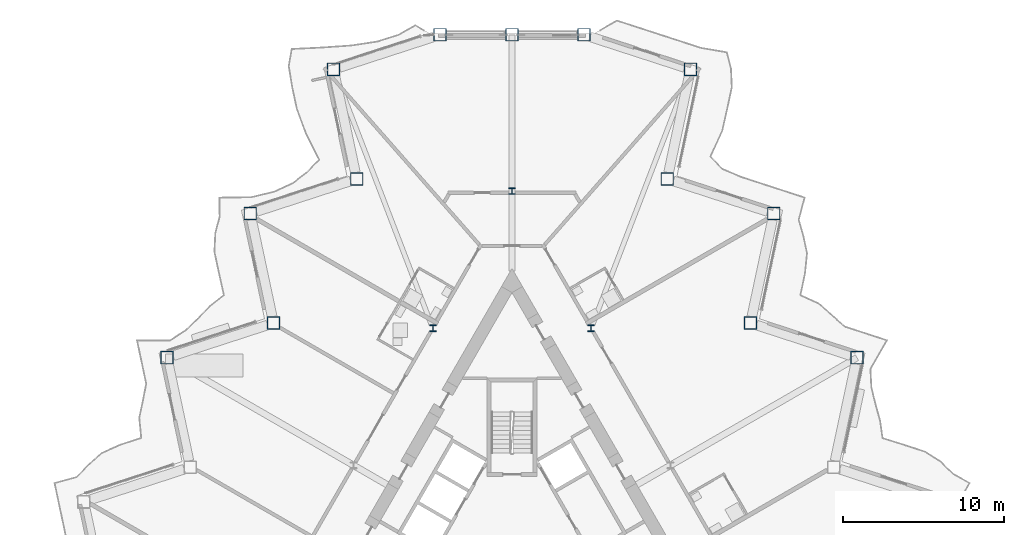
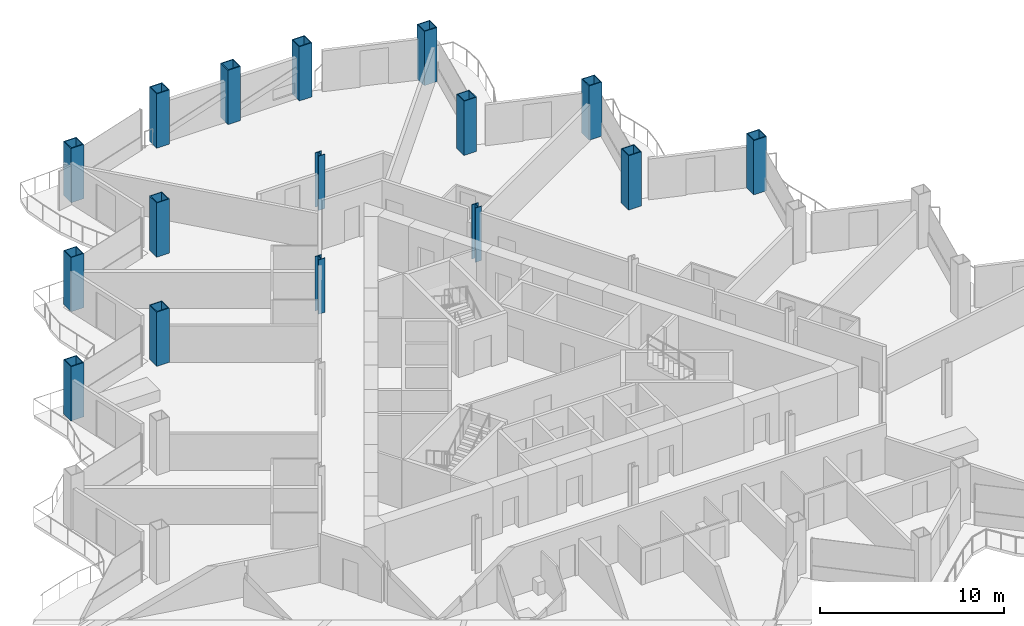
# One storey, part 2 of 23: 16 columns.
"""IFC4 building model written with IfcOpenShell, lengths in metres."""

import ifcopenshell
import ifcopenshell.guid

model = None  # the IFC model being written
_history = None  # IfcOwnerHistory: only IFC2X3 demands one
_inside = {}  # id of a spatial element -> (the spatial element, [elements in it])
_under = {}  # id of a project, library or spatial element -> (it, [spatial elements below it])
_declared = {}  # id of a project -> (the project, [libraries it declares])
_typed = {}  # id of a type object -> (the type object, [elements of that type])
_made_of = {}  # id of a material, layer set ... -> (it, [elements and type objects made of it])


def new_model(schema):
    """Start an empty IFC model of exactly this schema.

    Asked for "IFC4X3", IfcOpenShell would pick the latest addendum, in which some entities
    have other attributes; the version numbers below select the first issue.
    IFC2X3 requires an IfcOwnerHistory on every rooted entity: one is made here for all.
    """
    global model, _history
    if schema == "IFC4X3":
        model = ifcopenshell.file(schema_version=(4, 3, 0, 0))
    else:
        model = ifcopenshell.file(schema=schema)
    _inside.clear()
    _under.clear()
    _declared.clear()
    _typed.clear()
    _made_of.clear()
    _history = None
    if model.schema == "IFC2X3":
        org = make("IfcOrganization", Name="unknown")
        user = make(
            "IfcPersonAndOrganization",
            ThePerson=make("IfcPerson", FamilyName="unknown"),
            TheOrganization=org,
        )
        app = make(
            "IfcApplication",
            ApplicationDeveloper=org,
            Version="unknown",
            ApplicationFullName="unknown",
            ApplicationIdentifier="unknown",
        )
        _history = make(
            "IfcOwnerHistory",
            OwningUser=user,
            OwningApplication=app,
            ChangeAction="ADDED",
            CreationDate=0,
        )
    return model


def make(cls, **values):
    """One entity of the class cls with the attributes given. An attribute that is None is left unset."""
    return model.create_entity(
        cls, **{name: value for name, value in values.items() if value is not None}
    )


def rooted(cls, **values):
    """An entity with a GlobalId (a new one), such as an element, a storey or a relation."""
    return make(cls, GlobalId=ifcopenshell.guid.new(), OwnerHistory=_history, **values)


def si_unit(unit_type, name, prefix=None):
    """IfcSIUnit, for example si_unit("LENGTHUNIT", "METRE", prefix="MILLI")."""
    return make("IfcSIUnit", UnitType=unit_type, Prefix=prefix, Name=name)


def assignment(units):
    """IfcUnitAssignment: the units of a project."""
    return None if units is None else make("IfcUnitAssignment", Units=units)


def point(xyz):
    """IfcCartesianPoint."""
    return None if xyz is None else make("IfcCartesianPoint", Coordinates=xyz)


def direction(xyz):
    """IfcDirection."""
    return None if xyz is None else make("IfcDirection", DirectionRatios=xyz)


def frame(location, z_axis=None, x_axis=None):
    """IfcAxis2Placement3D, a coordinate frame: its origin and axes. An axis left out is left unset."""
    return make(
        "IfcAxis2Placement3D",
        Location=point(location),
        Axis=direction(z_axis),
        RefDirection=direction(x_axis),
    )


def frame_2d(location, x_axis=None):
    """IfcAxis2Placement2D, a coordinate frame in the plane: its origin and x axis."""
    return make(
        "IfcAxis2Placement2D", Location=point(location), RefDirection=direction(x_axis)
    )


def origin():
    """The frame at (0, 0, 0) with its axes left unset."""
    return frame((0.0, 0.0, 0.0))


def origin_2d():
    """The frame at (0, 0) in the plane with its x axis left unset."""
    return frame_2d((0.0, 0.0))


def place(relative_to, where):
    """IfcLocalPlacement: puts the frame where relative to a parent placement (None: the world)."""
    return make(
        "IfcLocalPlacement", PlacementRelTo=relative_to, RelativePlacement=where
    )


def context(
    kind, dimensions, precision=None, world=None, true_north=None, identifier=None
):
    """IfcGeometricRepresentationContext, for example the 3D "Model" context."""
    return make(
        "IfcGeometricRepresentationContext",
        ContextIdentifier=identifier,
        ContextType=kind,
        CoordinateSpaceDimension=dimensions,
        Precision=precision,
        WorldCoordinateSystem=world,
        TrueNorth=true_north,
    )


def subcontext(parent, identifier, kind, view, scale=None):
    """IfcGeometricRepresentationSubContext, for example "Body" below "Model"."""
    return make(
        "IfcGeometricRepresentationSubContext",
        ContextIdentifier=identifier,
        ContextType=kind,
        ParentContext=parent,
        TargetScale=scale,
        TargetView=view,
    )


def project(units=None, contexts=None):
    """IfcProject with its units and contexts."""
    return rooted(
        "IfcProject",
        Name="project",
        RepresentationContexts=contexts,
        UnitsInContext=assignment(units),
    )


def spatial(cls, under=None, at=None, **own):
    """A site, building, storey or space (cls), placed at a placement, below another one or the project."""
    s = rooted(cls, ObjectPlacement=at, **own)
    if under is not None:
        _under.setdefault(under.id(), (under, []))[1].append(s)
    return s


def profile(cls, at=None, kind="AREA", **sizes):
    """A parametric profile (cls). Its sizes go by their IFC names, for example OverallWidth=200.0."""
    return make(cls, ProfileType=kind, Position=at, **sizes)


def hollow_rectangle(**sizes):
    """IfcRectangleHollowProfileDef."""
    return profile("IfcRectangleHollowProfileDef", **sizes)


def i_section(**sizes):
    """IfcIShapeProfileDef."""
    return profile("IfcIShapeProfileDef", **sizes)


def extrude(swept, where, along, depth):
    """IfcExtrudedAreaSolid: the profile swept, set in the frame where, extruded along a direction by depth."""
    return make(
        "IfcExtrudedAreaSolid",
        SweptArea=swept,
        Position=where,
        ExtrudedDirection=direction(along),
        Depth=depth,
    )


def shape(context_of_items, identifier, shape_type, items):
    """IfcShapeRepresentation: the items that make up one representation, for example the "Body"."""
    return make(
        "IfcShapeRepresentation",
        ContextOfItems=context_of_items,
        RepresentationIdentifier=identifier,
        RepresentationType=shape_type,
        Items=items,
    )


def material(Name=None, Category=None):
    """IfcMaterial."""
    return make("IfcMaterial", Name=Name, Category=Category)


def material_profile(
    of_material, cross_section, Name=None, Category=None, Priority=None
):
    """IfcMaterialProfile: a cross section and its material."""
    return make(
        "IfcMaterialProfile",
        Name=Name,
        Material=of_material,
        Profile=cross_section,
        Priority=Priority,
        Category=Category,
    )


def profile_set(profiles, Name=None, composite=None):
    """IfcMaterialProfileSet."""
    return make(
        "IfcMaterialProfileSet",
        Name=Name,
        MaterialProfiles=profiles,
        CompositeProfile=composite,
    )


def made_of(thing, what):
    """Note that an element or type object is made of a material, layer set ...; save() writes the relation."""
    if what is not None:
        _made_of.setdefault(what.id(), (what, []))[1].append(thing)
    return thing


def type_object(cls, material=None, **own):
    """A type object (cls), such as IfcWallType, which elements share."""
    return made_of(rooted(cls, **own), material)


def element(
    cls,
    number,
    at=None,
    inside=None,
    cuts=None,
    type_object=None,
    material=None,
    context=None,
    identifier="Body",
    shape_type=None,
    held_by="IfcProductDefinitionShape",
    body=None,
    shapes=None,
    **own,
):
    """One element of the class cls, such as IfcWall. Its Tag is "e" and its number.

    at: its placement. inside: the storey or other place that contains it. cuts: it is an
    opening in that element (IfcRelVoidsElement). A single representation is given by context,
    identifier, shape_type and body (its items); several are given by shapes. held_by: the class
    of the entity that holds the representations. save() writes the other relations.
    """
    e = rooted(cls, Tag="e%d" % number, ObjectPlacement=at, **own)
    if body is not None:
        shapes = [shape(context, identifier, shape_type, body)]
    if shapes is not None:
        e.Representation = make(held_by, Representations=shapes)
    if inside is not None:
        _inside.setdefault(inside.id(), (inside, []))[1].append(e)
    if cuts is not None:
        rooted(
            "IfcRelVoidsElement", RelatingBuildingElement=cuts, RelatedOpeningElement=e
        )
    if type_object is not None:
        _typed.setdefault(type_object.id(), (type_object, []))[1].append(e)
    return made_of(e, material)


def aggregate(whole, parts):
    """IfcRelAggregates: a whole, such as a stair, and the parts it consists of."""
    return rooted("IfcRelAggregates", RelatingObject=whole, RelatedObjects=parts)


def save(model, path):
    """Write the relations noted so far, then the file.

    IfcRelAggregates (storeys below a building ...), IfcRelContainedInSpatialStructure (elements
    in a storey), IfcRelDefinesByType, IfcRelAssociatesMaterial and IfcRelDeclares: one each for
    every whole, place, type object, material and project.
    """
    for whole, parts in _under.values():
        aggregate(whole, parts)
    for where, things in _inside.values():
        rooted(
            "IfcRelContainedInSpatialStructure",
            RelatedElements=things,
            RelatingStructure=where,
        )
    for kind, things in _typed.values():
        rooted("IfcRelDefinesByType", RelatedObjects=things, RelatingType=kind)
    for what, things in _made_of.values():
        rooted("IfcRelAssociatesMaterial", RelatedObjects=things, RelatingMaterial=what)
    for by, libraries in _declared.values():
        rooted("IfcRelDeclares", RelatingContext=by, RelatedDefinitions=libraries)
    model.write(path)


model = new_model("IFC4")

# Units and contexts
model_context = context("Model", 3, precision=1e-05, world=origin(), true_north=direction((0.0, 1.0)))
body_context = subcontext(model_context, "Body", "Model", "MODEL_VIEW")
ifc_project = project(units=[si_unit("LENGTHUNIT", "METRE"), si_unit("AREAUNIT", "SQUARE_METRE"), si_unit("VOLUMEUNIT", "CUBIC_METRE"), si_unit("PLANEANGLEUNIT", "RADIAN"), si_unit("MASSUNIT", "GRAM", prefix="KILO")], contexts=[model_context])

# Site, building, storey
site_placement = place(None, origin())
site = spatial("IfcSite", under=ifc_project, at=site_placement, CompositionType="ELEMENT")
building_placement = place(site_placement, origin())
building = spatial("IfcBuilding", under=site, at=building_placement, Name="Cormorant Prow Tower", CompositionType="ELEMENT")
storey_placement = place(building_placement, frame((0.0, 0.0, 169.199951171875)))
storey = spatial("IfcBuildingStorey", under=building, at=storey_placement, Name="L35", CompositionType="ELEMENT", Elevation=169.199951171875)

# Columns
ifc_material_1 = material(Name="Structural steel ASTM A572 Gr 50", Category="steel")
ifc_material_profile_1 = material_profile(ifc_material_1, hollow_rectangle(XDim=0.800048828125, YDim=0.800048828125, WallThickness=0.050048828125, at=origin_2d()), Name="Box 800x800x50")
ifc_profile_set_1 = profile_set([ifc_material_profile_1], Name="Structural steel ASTM A572 Gr 50")
column_type_1 = type_object("IfcColumnType", Name="Perimeter box column 800x800x50", PredefinedType="COLUMN", material=ifc_profile_set_1)
for number, where, z_axis, x_axis, name in (
    (1, (21.409423828125, 12.36083984375, 0.0), (0.0, 0.0, 1.0), (1.0, 0.0, 0.0), "Perimeter column C4 at ENE05 L35"),
    (2, (14.7998046875, 14.50830078125, 0.0), (0.0, 0.0, 1.0), (1.0, 0.0, 0.0), "Perimeter column C4 at ENE06 L35"),
    (3, (16.244873046875, 21.306396484375, 0.0), (0.0, 0.0, 1.0), (1.0, 0.0, 0.0), "Perimeter column C4 at ENE07 L35"),
    (4, (9.63525390625, 23.453857421875, 0.0), (0.0, 0.0, 1.0), (1.0, 0.0, 0.0), "Perimeter column C4 at ENE08 L35"),
    (5, (11.080078125, 30.251953125, 0.0), (0.0, 0.0, 1.0), (1.0, 0.0, 0.0), "Perimeter column C4 at ENE09 L35"),
    (6, (4.470458984375, 32.3994140625, 0.0), (0.0, 0.0, 1.0), (1.0, 0.0, 0.0), "Perimeter column C4 at N00 L35"),
    (7, (0.0, 32.3994140625, 0.0), (0.0, 0.0, 1.0), (1.0, 0.0, 0.0), "Perimeter column C4 at N01 L35"),
    (8, (-4.470458984375, 32.3994140625, 0.0), (0.0, 0.0, 1.0), (1.0, 0.0, 0.0), "Perimeter column C4 at WNW00 L35"),
    (9, (-11.080078125, 30.251953125, 0.0), (0.0, 0.0, 1.0), (1.0, 0.0, 0.0), "Perimeter column C4 at WNW01 L35"),
    (10, (-9.63525390625, 23.453857421875, 0.0), (0.0, 0.0, 1.0), (1.0, 0.0, 0.0), "Perimeter column C4 at WNW02 L35"),
    (11, (-16.244873046875, 21.306396484375, 0.0), (0.0, 0.0, 1.0), (1.0, 0.0, 0.0), "Perimeter column C4 at WNW03 L35"),
    (12, (-14.7998046875, 14.50830078125, 0.0), (0.0, 0.0, 1.0), (1.0, 0.0, 0.0), "Perimeter column C4 at WNW04 L35"),
    (13, (-21.409423828125, 12.36083984375, 0.0), (0.0, 0.0, 1.0), (1.0, 0.0, 0.0), "Perimeter column C4 at WNW05 L35"),
):
    element("IfcColumn", number, at=place(storey_placement, frame(where, z_axis=z_axis, x_axis=x_axis)), inside=storey, type_object=column_type_1, Name=name, PredefinedType="COLUMN", context=body_context, shape_type="SweptSolid", body=[
        extrude(hollow_rectangle(XDim=0.800048828125, YDim=0.800048828125, WallThickness=0.050048828125, at=origin_2d()), origin(), (0.0, 0.0, 1.0), 3.60009765625),
    ])
ifc_material_2 = material(Name="Structural steel ASTM A992 Gr 50", Category="steel")
ifc_material_profile_2 = material_profile(ifc_material_2, i_section(OverallWidth=0.403564453125, OverallDepth=0.407470703125, WebThickness=0.027099609375, FlangeThickness=0.043701171875, at=origin_2d()), Name="W14x233")
ifc_profile_set_2 = profile_set([ifc_material_profile_2], Name="Structural steel ASTM A992 Gr 50")
column_type_2 = type_object("IfcColumnType", Name="Ring column W14x233", PredefinedType="COLUMN", material=ifc_profile_set_2)
for number, where, z_axis, x_axis, name in (
    (14, (0.0, 22.69775390625, 0.0), (0.0, 0.0, 1.0), (1.0, 0.0, 0.0), "Ring column 1 L35"),
    (15, (-4.914306640625, 14.186279296875, 0.0), (0.0, 0.0, 1.0), (1.0, 0.0, 0.0), "Ring column 2 L35"),
    (16, (4.914306640625, 14.186279296875, 0.0), (0.0, 0.0, 1.0), (1.0, 0.0, 0.0), "Ring column 12 L35"),
):
    element("IfcColumn", number, at=place(storey_placement, frame(where, z_axis=z_axis, x_axis=x_axis)), inside=storey, type_object=column_type_2, Name=name, PredefinedType="COLUMN", context=body_context, shape_type="SweptSolid", body=[
        extrude(i_section(OverallWidth=0.403564453125, OverallDepth=0.407470703125, WebThickness=0.027099609375, FlangeThickness=0.043701171875, at=origin_2d()), origin(), (0.0, 0.0, 1.0), 3.60009765625),
    ])

save(model, "model.ifc")
